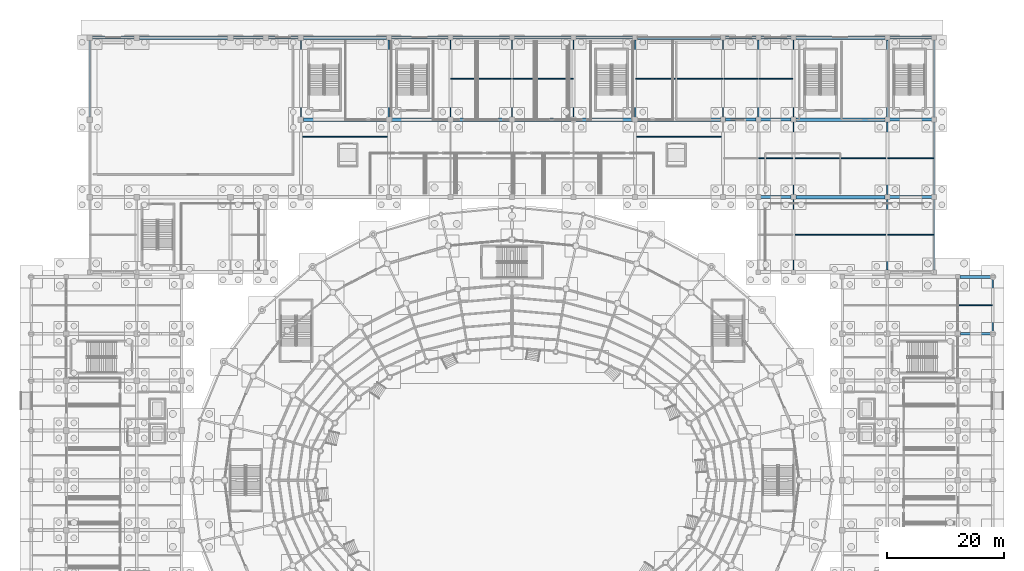
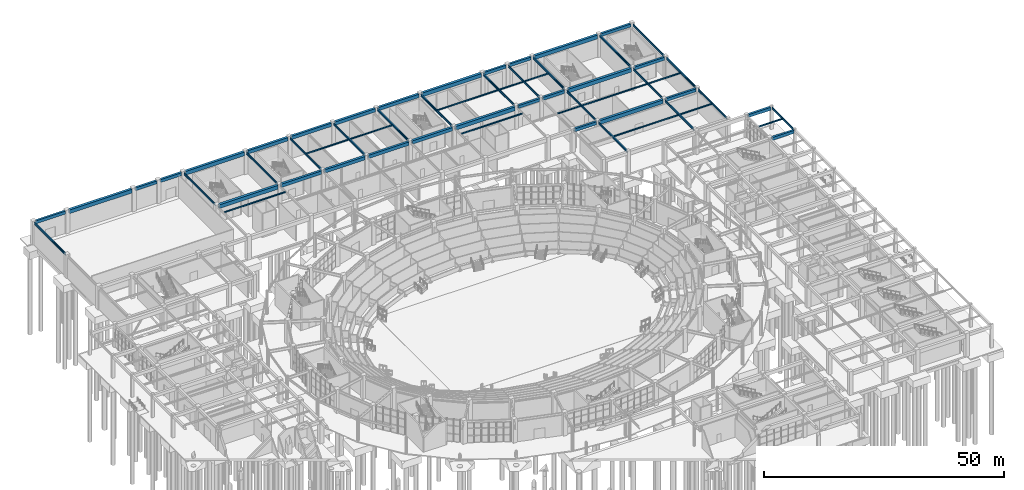
# One storey, part 62 of 121: 61 beams.
"""IFC4 building model written with IfcOpenShell, lengths in metres."""

from ifc_helpers import new_model, si_unit, direction, frame, origin, origin_2d, place, context, subcontext, project, spatial, rectangle, i_section, extrude, material, material_profile, profile_set, type_object, element, save


model = new_model("IFC4")

# Units and contexts
model_context = context("Model", 3, precision=1e-05, world=origin(), true_north=direction((0.0, 1.0)))
body_context = subcontext(model_context, "Body", "Model", "MODEL_VIEW")
ifc_project = project(units=[si_unit("LENGTHUNIT", "METRE"), si_unit("AREAUNIT", "SQUARE_METRE"), si_unit("VOLUMEUNIT", "CUBIC_METRE"), si_unit("PLANEANGLEUNIT", "RADIAN"), si_unit("MASSUNIT", "GRAM", prefix="KILO")], contexts=[model_context])

# Site, building, storey
site_placement = place(None, origin())
site = spatial("IfcSite", under=ifc_project, at=site_placement, CompositionType="ELEMENT")
building_placement = place(site_placement, origin())
building = spatial("IfcBuilding", under=site, at=building_placement, Name="Cuetzalor Civic Arena", CompositionType="ELEMENT")
storey_placement = place(building_placement, origin())
storey = spatial("IfcBuildingStorey", under=building, at=storey_placement, Name="L00", CompositionType="ELEMENT", Elevation=0.0)

# Beams
ifc_material_1 = material(Name="Concrete C40/50", Category="concrete")
ifc_material_profile_1 = material_profile(ifc_material_1, rectangle(XDim=0.5, YDim=0.75, at=origin_2d()), Name="RC 500x750")
ifc_profile_set_1 = profile_set([ifc_material_profile_1], Name="Concrete C40/50")
beam_type_1 = type_object("IfcBeamType", Name="ConcreteFrameBeam_500x750", PredefinedType="BEAM", material=ifc_profile_set_1)
beam_1_placement = place(storey_placement, frame((76.465087890625, 25.0, 5.324951171875), z_axis=(1.0, 0.0, 0.0), x_axis=(0.0, 1.0, 0.0)))
element("IfcBeam", 1, at=beam_1_placement, inside=storey, type_object=beam_type_1, Name="Frame Girder V4E-L00-X0167", PredefinedType="BEAM", context=body_context, shape_type="SweptSolid", body=[
    extrude(rectangle(XDim=0.5, YDim=0.75, at=origin_2d()), origin(), (0.0, 0.0, 1.0), 5.219970703125),
])
beam_2_placement = place(storey_placement, frame((76.364990234375, 34.699951171875, 5.324951171875), z_axis=(1.0, 0.0, 0.0), x_axis=(0.0, 1.0, 0.0)))
element("IfcBeam", 2, at=beam_2_placement, inside=storey, type_object=beam_type_1, Name="Frame Girder V4E-L00-X0170", PredefinedType="BEAM", context=body_context, shape_type="SweptSolid", body=[
    extrude(rectangle(XDim=0.5, YDim=0.75, at=origin_2d()), origin(), (0.0, 0.0, 1.0), 5.320068359375),
])
beam_3_placement = place(storey_placement, frame((42.4150390625, 48.300048828125, 5.324951171875), z_axis=(1.0, 0.0, 0.0), x_axis=(0.0, 1.0, 0.0)))
element("IfcBeam", 3, at=beam_3_placement, inside=storey, type_object=beam_type_1, Name="Frame Girder V5-L00-X0230", PredefinedType="BEAM", context=body_context, shape_type="SweptSolid", body=[
    extrude(rectangle(XDim=0.5, YDim=0.75, at=origin_2d()), origin(), (0.0, 0.0, 1.0), 5.169921875),
])
beam_4_placement = place(storey_placement, frame((64.4150390625, 48.300048828125, 5.324951171875), z_axis=(1.0, 0.0, 0.0), x_axis=(0.0, 1.0, 0.0)))
element("IfcBeam", 4, at=beam_4_placement, inside=storey, type_object=beam_type_1, Name="Frame Girder V5-L00-X0232", PredefinedType="BEAM", context=body_context, shape_type="SweptSolid", body=[
    extrude(rectangle(XDim=0.5, YDim=0.75, at=origin_2d()), origin(), (0.0, 0.0, 1.0), 7.169921875),
])
for number, where, z_axis, x_axis, name in (
    (5, (36.4150390625, 61.5, 5.324951171875), (1.0, 0.0, 0.0), (0.0, 1.0, 0.0), "Frame Girder V5-L00-X0239"),
    (6, (42.4150390625, 61.5, 5.324951171875), (1.0, 0.0, 0.0), (0.0, 1.0, 0.0), "Frame Girder V5-L00-X0240"),
):
    element("IfcBeam", number, at=place(storey_placement, frame(where, z_axis=z_axis, x_axis=x_axis)), inside=storey, type_object=beam_type_1, Name=name, PredefinedType="BEAM", context=body_context, shape_type="SweptSolid", body=[
        extrude(rectangle(XDim=0.5, YDim=0.75, at=origin_2d()), origin(), (0.0, 0.0, 1.0), 5.169921875),
    ])
beam_5_placement = place(storey_placement, frame((64.4150390625, 61.5, 5.324951171875), z_axis=(1.0, 0.0, 0.0), x_axis=(0.0, 1.0, 0.0)))
element("IfcBeam", 7, at=beam_5_placement, inside=storey, type_object=beam_type_1, Name="Frame Girder V5-L00-X0242", PredefinedType="BEAM", context=body_context, shape_type="SweptSolid", body=[
    extrude(rectangle(XDim=0.5, YDim=0.75, at=origin_2d()), origin(), (0.0, 0.0, 1.0), 7.169921875),
])
beam_6_placement = place(storey_placement, frame((-71.534912109375, 75.5, 5.324951171875), z_axis=(1.0, 0.0, 0.0), x_axis=(0.0, 1.0, 0.0)))
element("IfcBeam", 8, at=beam_6_placement, inside=storey, type_object=beam_type_1, Name="Frame Girder V5-L00-X0243", PredefinedType="BEAM", context=body_context, shape_type="SweptSolid", body=[
    extrude(rectangle(XDim=0.5, YDim=0.75, at=origin_2d()), origin(), (0.0, 0.0, 1.0), 7.06982421875),
])
for number, where, z_axis, x_axis, name in (
    (9, (-47.534912109375, 75.5, 5.324951171875), (1.0, 0.0, 0.0), (0.0, 1.0, 0.0), "Frame Girder V5-L00-X0245"),
    (10, (-41.534912109375, 75.5, 5.324951171875), (1.0, 0.0, 0.0), (0.0, 1.0, 0.0), "Frame Girder V5-L00-X0246"),
):
    element("IfcBeam", number, at=place(storey_placement, frame(where, z_axis=z_axis, x_axis=x_axis)), inside=storey, type_object=beam_type_1, Name=name, PredefinedType="BEAM", context=body_context, shape_type="SweptSolid", body=[
        extrude(rectangle(XDim=0.5, YDim=0.75, at=origin_2d()), origin(), (0.0, 0.0, 1.0), 5.06982421875),
    ])
for number, where, z_axis, x_axis, name in (
    (11, (36.4150390625, 75.5, 5.324951171875), (1.0, 0.0, 0.0), (0.0, 1.0, 0.0), "Frame Girder V5-L00-X0253"),
    (12, (42.4150390625, 75.5, 5.324951171875), (1.0, 0.0, 0.0), (0.0, 1.0, 0.0), "Frame Girder V5-L00-X0254"),
):
    element("IfcBeam", number, at=place(storey_placement, frame(where, z_axis=z_axis, x_axis=x_axis)), inside=storey, type_object=beam_type_1, Name=name, PredefinedType="BEAM", context=body_context, shape_type="SweptSolid", body=[
        extrude(rectangle(XDim=0.5, YDim=0.75, at=origin_2d()), origin(), (0.0, 0.0, 1.0), 5.169921875),
    ])
beam_7_placement = place(storey_placement, frame((64.4150390625, 75.5, 5.324951171875), z_axis=(1.0, 0.0, 0.0), x_axis=(0.0, 1.0, 0.0)))
element("IfcBeam", 13, at=beam_7_placement, inside=storey, type_object=beam_type_1, Name="Frame Girder V5-L00-X0256", PredefinedType="BEAM", context=body_context, shape_type="SweptSolid", body=[
    extrude(rectangle(XDim=0.5, YDim=0.75, at=origin_2d()), origin(), (0.0, 0.0, 1.0), 7.169921875),
])
ifc_material_2 = material(Name="Concrete C40/50", Category="concrete")
ifc_material_profile_2 = material_profile(ifc_material_2, rectangle(XDim=0.550048828125, YDim=0.85009765625, at=origin_2d()), Name="RC 550x850")
ifc_profile_set_2 = profile_set([ifc_material_profile_2], Name="Concrete C40/50")
beam_type_2 = type_object("IfcBeamType", Name="ConcreteFrameBeam_550x850", PredefinedType="BEAM", material=ifc_profile_set_2)
for number, where, z_axis, x_axis, name in (
    (14, (-20.5849609375, 61.5, 5.27490234375), (1.0, 0.0, 0.0), (0.0, 1.0, 0.0), "Frame Girder V5-L00-X0234"),
    (15, (-10.0849609375, 61.5, 5.27490234375), (1.0, 0.0, 0.0), (0.0, 1.0, 0.0), "Frame Girder V5-L00-X0235"),
    (16, (0.4150390625, 61.5, 5.27490234375), (1.0, 0.0, 0.0), (0.0, 1.0, 0.0), "Frame Girder V5-L00-X0236"),
    (17, (10.9150390625, 61.5, 5.27490234375), (1.0, 0.0, 0.0), (0.0, 1.0, 0.0), "Frame Girder V5-L00-X0237"),
    (18, (-20.5849609375, 75.5, 5.27490234375), (1.0, 0.0, 0.0), (0.0, 1.0, 0.0), "Frame Girder V5-L00-X0248"),
    (19, (-10.0849609375, 75.5, 5.27490234375), (1.0, 0.0, 0.0), (0.0, 1.0, 0.0), "Frame Girder V5-L00-X0249"),
    (20, (0.4150390625, 75.5, 5.27490234375), (1.0, 0.0, 0.0), (0.0, 1.0, 0.0), "Frame Girder V5-L00-X0250"),
    (21, (10.9150390625, 75.5, 5.27490234375), (1.0, 0.0, 0.0), (0.0, 1.0, 0.0), "Frame Girder V5-L00-X0251"),
):
    element("IfcBeam", number, at=place(storey_placement, frame(where, z_axis=z_axis, x_axis=x_axis)), inside=storey, type_object=beam_type_2, Name=name, PredefinedType="BEAM", context=body_context, shape_type="SweptSolid", body=[
        extrude(rectangle(XDim=0.550048828125, YDim=0.85009765625, at=origin_2d()), origin(), (0.0, 0.0, 1.0), 9.669921875),
    ])
ifc_material_3 = material(Name="Concrete C40/50", Category="concrete")
ifc_material_profile_3 = material_profile(ifc_material_3, rectangle(XDim=0.60009765625, YDim=0.949951171875, at=origin_2d()), Name="RC 600x950")
ifc_profile_set_3 = profile_set([ifc_material_profile_3], Name="Concrete C40/50")
beam_type_3 = type_object("IfcBeamType", Name="ConcreteFrameBeam_600x950", PredefinedType="BEAM", material=ifc_profile_set_3)
beam_8_placement = place(storey_placement, frame((48.4150390625, 48.300048828125, 5.22509765625), z_axis=(1.0, 0.0, 0.0), x_axis=(0.0, 1.0, 0.0)))
element("IfcBeam", 22, at=beam_8_placement, inside=storey, type_object=beam_type_3, Name="Frame Girder V5-L00-X0231", PredefinedType="BEAM", context=body_context, shape_type="SweptSolid", body=[
    extrude(rectangle(XDim=0.60009765625, YDim=0.949951171875, at=origin_2d()), origin(), (0.0, 0.0, 1.0), 15.169921875),
])
beam_9_placement = place(storey_placement, frame((-35.534912109375, 61.5, 5.22509765625), z_axis=(1.0, 0.0, 0.0), x_axis=(0.0, 1.0, 0.0)))
element("IfcBeam", 23, at=beam_9_placement, inside=storey, type_object=beam_type_3, Name="Frame Girder V5-L00-X0233", PredefinedType="BEAM", context=body_context, shape_type="SweptSolid", body=[
    extrude(rectangle(XDim=0.60009765625, YDim=0.949951171875, at=origin_2d()), origin(), (0.0, 0.0, 1.0), 14.119873046875),
])
beam_10_placement = place(storey_placement, frame((21.4150390625, 61.5, 5.22509765625), z_axis=(1.0, 0.0, 0.0), x_axis=(0.0, 1.0, 0.0)))
element("IfcBeam", 24, at=beam_10_placement, inside=storey, type_object=beam_type_3, Name="Frame Girder V5-L00-X0238", PredefinedType="BEAM", context=body_context, shape_type="SweptSolid", body=[
    extrude(rectangle(XDim=0.60009765625, YDim=0.949951171875, at=origin_2d()), origin(), (0.0, 0.0, 1.0), 14.169921875),
])
beam_11_placement = place(storey_placement, frame((48.4150390625, 61.5, 5.22509765625), z_axis=(1.0, 0.0, 0.0), x_axis=(0.0, 1.0, 0.0)))
element("IfcBeam", 25, at=beam_11_placement, inside=storey, type_object=beam_type_3, Name="Frame Girder V5-L00-X0241", PredefinedType="BEAM", context=body_context, shape_type="SweptSolid", body=[
    extrude(rectangle(XDim=0.60009765625, YDim=0.949951171875, at=origin_2d()), origin(), (0.0, 0.0, 1.0), 15.169921875),
])
beam_12_placement = place(storey_placement, frame((-63.534912109375, 75.5, 5.22509765625), z_axis=(1.0, 0.0, 0.0), x_axis=(0.0, 1.0, 0.0)))
element("IfcBeam", 26, at=beam_12_placement, inside=storey, type_object=beam_type_3, Name="Frame Girder V5-L00-X0244", PredefinedType="BEAM", context=body_context, shape_type="SweptSolid", body=[
    extrude(rectangle(XDim=0.60009765625, YDim=0.949951171875, at=origin_2d()), origin(), (0.0, 0.0, 1.0), 15.06982421875),
])
beam_13_placement = place(storey_placement, frame((-35.534912109375, 75.5, 5.22509765625), z_axis=(1.0, 0.0, 0.0), x_axis=(0.0, 1.0, 0.0)))
element("IfcBeam", 27, at=beam_13_placement, inside=storey, type_object=beam_type_3, Name="Frame Girder V5-L00-X0247", PredefinedType="BEAM", context=body_context, shape_type="SweptSolid", body=[
    extrude(rectangle(XDim=0.60009765625, YDim=0.949951171875, at=origin_2d()), origin(), (0.0, 0.0, 1.0), 14.119873046875),
])
beam_14_placement = place(storey_placement, frame((21.4150390625, 75.5, 5.22509765625), z_axis=(1.0, 0.0, 0.0), x_axis=(0.0, 1.0, 0.0)))
element("IfcBeam", 28, at=beam_14_placement, inside=storey, type_object=beam_type_3, Name="Frame Girder V5-L00-X0252", PredefinedType="BEAM", context=body_context, shape_type="SweptSolid", body=[
    extrude(rectangle(XDim=0.60009765625, YDim=0.949951171875, at=origin_2d()), origin(), (0.0, 0.0, 1.0), 14.169921875),
])
beam_15_placement = place(storey_placement, frame((48.4150390625, 75.5, 5.22509765625), z_axis=(1.0, 0.0, 0.0), x_axis=(0.0, 1.0, 0.0)))
element("IfcBeam", 29, at=beam_15_placement, inside=storey, type_object=beam_type_3, Name="Frame Girder V5-L00-X0255", PredefinedType="BEAM", context=body_context, shape_type="SweptSolid", body=[
    extrude(rectangle(XDim=0.60009765625, YDim=0.949951171875, at=origin_2d()), origin(), (0.0, 0.0, 1.0), 15.169921875),
])
ifc_material_4 = material(Name="Steel S355", Category="steel")
ifc_material_profile_4 = material_profile(ifc_material_4, i_section(OverallWidth=0.1708984375, OverallDepth=0.35498046875, WebThickness=0.007080078125, FlangeThickness=0.01171875, at=origin_2d()), Name="W360x51")
ifc_profile_set_4 = profile_set([ifc_material_profile_4], Name="Steel S355")
beam_type_4 = type_object("IfcBeamType", Name="SecondaryFloorJoist_W360", PredefinedType="JOIST", material=ifc_profile_set_4)
beam_16_placement = place(storey_placement, frame((76.096435546875, 29.85009765625, 5.5224609375), z_axis=(1.0, 0.0, 0.0), x_axis=(0.0, 1.0, 0.0)))
element("IfcBeam", 30, at=beam_16_placement, inside=storey, type_object=beam_type_4, Name="Secondary Floor Joist V4E-L00-0070", PredefinedType="JOIST", context=body_context, shape_type="SweptSolid", body=[
    extrude(i_section(OverallWidth=0.1708984375, OverallDepth=0.35498046875, WebThickness=0.007080078125, FlangeThickness=0.01171875, at=origin_2d()), origin(), (0.0, 0.0, 1.0), 5.80712890625),
])
beam_17_placement = place(storey_placement, frame((-35.903564453125, 58.595947265625, 5.5224609375), z_axis=(1.0, 0.0, 0.0), x_axis=(0.0, 1.0, 0.0)))
element("IfcBeam", 31, at=beam_17_placement, inside=storey, type_object=beam_type_4, Name="Secondary Floor Joist V5-L00-0073", PredefinedType="JOIST", context=body_context, shape_type="SweptSolid", body=[
    extrude(i_section(OverallWidth=0.1708984375, OverallDepth=0.35498046875, WebThickness=0.007080078125, FlangeThickness=0.01171875, at=origin_2d()), origin(), (0.0, 0.0, 1.0), 14.80712890625),
])
for number, where, z_axis, x_axis, name in (
    (32, (-10.403564453125, 68.5, 5.5224609375), (1.0, 0.0, 0.0), (0.0, 1.0, 0.0), "Secondary Floor Joist V5-L00-0076"),
    (33, (0.096435546875, 68.5, 5.5224609375), (1.0, 0.0, 0.0), (0.0, 1.0, 0.0), "Secondary Floor Joist V5-L00-0078"),
):
    element("IfcBeam", number, at=place(storey_placement, frame(where, z_axis=z_axis, x_axis=x_axis)), inside=storey, type_object=beam_type_4, Name=name, PredefinedType="JOIST", context=body_context, shape_type="SweptSolid", body=[
        extrude(i_section(OverallWidth=0.1708984375, OverallDepth=0.35498046875, WebThickness=0.007080078125, FlangeThickness=0.01171875, at=origin_2d()), origin(), (0.0, 0.0, 1.0), 10.30712890625),
    ])
for number, where, z_axis, x_axis, name in (
    (34, (21.096435546875, 58.595947265625, 5.5224609375), (1.0, 0.0, 0.0), (0.0, 1.0, 0.0), "Secondary Floor Joist V5-L00-0080"),
    (35, (21.096435546875, 68.5, 5.5224609375), (1.0, 0.0, 0.0), (0.0, 1.0, 0.0), "Secondary Floor Joist V5-L00-0081"),
):
    element("IfcBeam", number, at=place(storey_placement, frame(where, z_axis=z_axis, x_axis=x_axis)), inside=storey, type_object=beam_type_4, Name=name, PredefinedType="JOIST", context=body_context, shape_type="SweptSolid", body=[
        extrude(i_section(OverallWidth=0.1708984375, OverallDepth=0.35498046875, WebThickness=0.007080078125, FlangeThickness=0.01171875, at=origin_2d()), origin(), (0.0, 0.0, 1.0), 14.80712890625),
    ])
for number, where, z_axis, x_axis, name in (
    (36, (36.096435546875, 68.5, 5.5224609375), (1.0, 0.0, 0.0), (0.0, 1.0, 0.0), "Secondary Floor Joist V5-L00-0083"),
    (37, (42.096435546875, 54.89990234375, 5.5224609375), (1.0, 0.0, 0.0), (0.0, 1.0, 0.0), "Secondary Floor Joist V5-L00-0085"),
    (38, (42.096435546875, 68.5, 5.5224609375), (1.0, 0.0, 0.0), (0.0, 1.0, 0.0), "Secondary Floor Joist V5-L00-0086"),
):
    element("IfcBeam", number, at=place(storey_placement, frame(where, z_axis=z_axis, x_axis=x_axis)), inside=storey, type_object=beam_type_4, Name=name, PredefinedType="JOIST", context=body_context, shape_type="SweptSolid", body=[
        extrude(i_section(OverallWidth=0.1708984375, OverallDepth=0.35498046875, WebThickness=0.007080078125, FlangeThickness=0.01171875, at=origin_2d()), origin(), (0.0, 0.0, 1.0), 5.80712890625),
    ])
for number, where, z_axis, x_axis, name in (
    (39, (48.096435546875, 41.89990234375, 5.5224609375), (1.0, 0.0, 0.0), (0.0, 1.0, 0.0), "Secondary Floor Joist V5-L00-0087"),
    (40, (48.096435546875, 54.89990234375, 5.5224609375), (1.0, 0.0, 0.0), (0.0, 1.0, 0.0), "Secondary Floor Joist V5-L00-0088"),
):
    element("IfcBeam", number, at=place(storey_placement, frame(where, z_axis=z_axis, x_axis=x_axis)), inside=storey, type_object=beam_type_4, Name=name, PredefinedType="JOIST", context=body_context, shape_type="SweptSolid", body=[
        extrude(i_section(OverallWidth=0.1708984375, OverallDepth=0.35498046875, WebThickness=0.007080078125, FlangeThickness=0.01171875, at=origin_2d()), origin(), (0.0, 0.0, 1.0), 15.80712890625),
    ])
for number, where, z_axis, x_axis, name in (
    (41, (64.096435546875, 41.89990234375, 5.5224609375), (1.0, 0.0, 0.0), (0.0, 1.0, 0.0), "Secondary Floor Joist V5-L00-0089"),
    (42, (64.096435546875, 54.89990234375, 5.5224609375), (1.0, 0.0, 0.0), (0.0, 1.0, 0.0), "Secondary Floor Joist V5-L00-0090"),
):
    element("IfcBeam", number, at=place(storey_placement, frame(where, z_axis=z_axis, x_axis=x_axis)), inside=storey, type_object=beam_type_4, Name=name, PredefinedType="JOIST", context=body_context, shape_type="SweptSolid", body=[
        extrude(i_section(OverallWidth=0.1708984375, OverallDepth=0.35498046875, WebThickness=0.007080078125, FlangeThickness=0.01171875, at=origin_2d()), origin(), (0.0, 0.0, 1.0), 7.80712890625),
    ])
ifc_material_5 = material(Name="Steel S355", Category="steel")
ifc_material_profile_5 = material_profile(ifc_material_5, i_section(OverallWidth=0.208984375, OverallDepth=0.532958984375, WebThickness=0.01025390625, FlangeThickness=0.015625, at=origin_2d()), Name="W530x92")
ifc_profile_set_5 = profile_set([ifc_material_profile_5], Name="Steel S355")
beam_type_5 = type_object("IfcBeamType", Name="SteelCollarGirder_W530", PredefinedType="BEAM", material=ifc_profile_set_5)
beam_18_placement = place(storey_placement, frame((82.0, 25.215087890625, 5.43359375), z_axis=(0.0, 1.0, 0.0), x_axis=(-1.0, 0.0, 0.0)))
element("IfcBeam", 43, at=beam_18_placement, inside=storey, type_object=beam_type_5, Name="Frame Girder V4E-L00-Y0212", PredefinedType="BEAM", context=body_context, shape_type="SweptSolid", body=[
    extrude(i_section(OverallWidth=0.208984375, OverallDepth=0.532958984375, WebThickness=0.01025390625, FlangeThickness=0.015625, at=origin_2d()), origin(), (0.0, 0.0, 1.0), 9.27001953125),
])
for number, where, z_axis, x_axis, name in (
    (44, (-72.0, 61.965087890625, 5.43359375), (0.0, 1.0, 0.0), (-1.0, 0.0, 0.0), "Frame Girder V5-L00-Y0259"),
    (45, (-36.0, 61.965087890625, 5.43359375), (0.0, 1.0, 0.0), (-1.0, 0.0, 0.0), "Frame Girder V5-L00-Y0264"),
):
    element("IfcBeam", number, at=place(storey_placement, frame(where, z_axis=z_axis, x_axis=x_axis)), inside=storey, type_object=beam_type_5, Name=name, PredefinedType="BEAM", context=body_context, shape_type="SweptSolid", body=[
        extrude(i_section(OverallWidth=0.208984375, OverallDepth=0.532958984375, WebThickness=0.01025390625, FlangeThickness=0.015625, at=origin_2d()), origin(), (0.0, 0.0, 1.0), 13.06982421875),
    ])
for number, where, z_axis, x_axis, name in (
    (46, (-21.0, 61.9150390625, 5.43359375), (0.0, 1.0, 0.0), (-1.0, 0.0, 0.0), "Frame Girder V5-L00-Y0266"),
    (47, (-10.5, 61.9150390625, 5.43359375), (0.0, 1.0, 0.0), (-1.0, 0.0, 0.0), "Frame Girder V5-L00-Y0268"),
    (48, (0.0, 61.9150390625, 5.43359375), (0.0, 1.0, 0.0), (-1.0, 0.0, 0.0), "Frame Girder V5-L00-Y0270"),
    (49, (10.5, 61.9150390625, 5.43359375), (0.0, 1.0, 0.0), (-1.0, 0.0, 0.0), "Frame Girder V5-L00-Y0272"),
    (50, (21.0, 61.9150390625, 5.43359375), (0.0, 1.0, 0.0), (-1.0, 0.0, 0.0), "Frame Girder V5-L00-Y0274"),
    (51, (36.0, 61.9150390625, 5.43359375), (0.0, 1.0, 0.0), (-1.0, 0.0, 0.0), "Frame Girder V5-L00-Y0276"),
    (52, (42.0, 61.9150390625, 5.43359375), (0.0, 1.0, 0.0), (-1.0, 0.0, 0.0), "Frame Girder V5-L00-Y0279"),
):
    element("IfcBeam", number, at=place(storey_placement, frame(where, z_axis=z_axis, x_axis=x_axis)), inside=storey, type_object=beam_type_5, Name=name, PredefinedType="BEAM", context=body_context, shape_type="SweptSolid", body=[
        extrude(i_section(OverallWidth=0.208984375, OverallDepth=0.532958984375, WebThickness=0.01025390625, FlangeThickness=0.015625, at=origin_2d()), origin(), (0.0, 0.0, 1.0), 13.169921875),
    ])
beam_19_placement = place(storey_placement, frame((48.0, 35.864990234375, 5.43359375), z_axis=(0.0, 1.0, 0.0), x_axis=(-1.0, 0.0, 0.0)))
element("IfcBeam", 53, at=beam_19_placement, inside=storey, type_object=beam_type_5, Name="Frame Girder V5-L00-Y0280", PredefinedType="BEAM", context=body_context, shape_type="SweptSolid", body=[
    extrude(i_section(OverallWidth=0.208984375, OverallDepth=0.532958984375, WebThickness=0.01025390625, FlangeThickness=0.015625, at=origin_2d()), origin(), (0.0, 0.0, 1.0), 12.02001953125),
])
beam_20_placement = place(storey_placement, frame((48.0, 48.715087890625, 5.43359375), z_axis=(0.0, 1.0, 0.0), x_axis=(-1.0, 0.0, 0.0)))
element("IfcBeam", 54, at=beam_20_placement, inside=storey, type_object=beam_type_5, Name="Frame Girder V5-L00-Y0281", PredefinedType="BEAM", context=body_context, shape_type="SweptSolid", body=[
    extrude(i_section(OverallWidth=0.208984375, OverallDepth=0.532958984375, WebThickness=0.01025390625, FlangeThickness=0.015625, at=origin_2d()), origin(), (0.0, 0.0, 1.0), 12.369873046875),
])
beam_21_placement = place(storey_placement, frame((48.0, 61.9150390625, 5.43359375), z_axis=(0.0, 1.0, 0.0), x_axis=(-1.0, 0.0, 0.0)))
element("IfcBeam", 55, at=beam_21_placement, inside=storey, type_object=beam_type_5, Name="Frame Girder V5-L00-Y0282", PredefinedType="BEAM", context=body_context, shape_type="SweptSolid", body=[
    extrude(i_section(OverallWidth=0.208984375, OverallDepth=0.532958984375, WebThickness=0.01025390625, FlangeThickness=0.015625, at=origin_2d()), origin(), (0.0, 0.0, 1.0), 13.169921875),
])
beam_22_placement = place(storey_placement, frame((64.0, 35.864990234375, 5.43359375), z_axis=(0.0, 1.0, 0.0), x_axis=(-1.0, 0.0, 0.0)))
element("IfcBeam", 56, at=beam_22_placement, inside=storey, type_object=beam_type_5, Name="Frame Girder V5-L00-Y0283", PredefinedType="BEAM", context=body_context, shape_type="SweptSolid", body=[
    extrude(i_section(OverallWidth=0.208984375, OverallDepth=0.532958984375, WebThickness=0.01025390625, FlangeThickness=0.015625, at=origin_2d()), origin(), (0.0, 0.0, 1.0), 12.02001953125),
])
beam_23_placement = place(storey_placement, frame((64.0, 48.715087890625, 5.43359375), z_axis=(0.0, 1.0, 0.0), x_axis=(-1.0, 0.0, 0.0)))
element("IfcBeam", 57, at=beam_23_placement, inside=storey, type_object=beam_type_5, Name="Frame Girder V5-L00-Y0284", PredefinedType="BEAM", context=body_context, shape_type="SweptSolid", body=[
    extrude(i_section(OverallWidth=0.208984375, OverallDepth=0.532958984375, WebThickness=0.01025390625, FlangeThickness=0.015625, at=origin_2d()), origin(), (0.0, 0.0, 1.0), 12.369873046875),
])
beam_24_placement = place(storey_placement, frame((64.0, 61.9150390625, 5.43359375), z_axis=(0.0, 1.0, 0.0), x_axis=(-1.0, 0.0, 0.0)))
element("IfcBeam", 58, at=beam_24_placement, inside=storey, type_object=beam_type_5, Name="Frame Girder V5-L00-Y0285", PredefinedType="BEAM", context=body_context, shape_type="SweptSolid", body=[
    extrude(i_section(OverallWidth=0.208984375, OverallDepth=0.532958984375, WebThickness=0.01025390625, FlangeThickness=0.015625, at=origin_2d()), origin(), (0.0, 0.0, 1.0), 13.169921875),
])
beam_25_placement = place(storey_placement, frame((72.0, 35.864990234375, 5.43359375), z_axis=(0.0, 1.0, 0.0), x_axis=(-1.0, 0.0, 0.0)))
element("IfcBeam", 59, at=beam_25_placement, inside=storey, type_object=beam_type_5, Name="Frame Girder V5-L00-Y0286", PredefinedType="BEAM", context=body_context, shape_type="SweptSolid", body=[
    extrude(i_section(OverallWidth=0.208984375, OverallDepth=0.532958984375, WebThickness=0.01025390625, FlangeThickness=0.015625, at=origin_2d()), origin(), (0.0, 0.0, 1.0), 12.02001953125),
])
beam_26_placement = place(storey_placement, frame((72.0, 48.715087890625, 5.43359375), z_axis=(0.0, 1.0, 0.0), x_axis=(-1.0, 0.0, 0.0)))
element("IfcBeam", 60, at=beam_26_placement, inside=storey, type_object=beam_type_5, Name="Frame Girder V5-L00-Y0287", PredefinedType="BEAM", context=body_context, shape_type="SweptSolid", body=[
    extrude(i_section(OverallWidth=0.208984375, OverallDepth=0.532958984375, WebThickness=0.01025390625, FlangeThickness=0.015625, at=origin_2d()), origin(), (0.0, 0.0, 1.0), 12.369873046875),
])
beam_27_placement = place(storey_placement, frame((72.0, 61.9150390625, 5.43359375), z_axis=(0.0, 1.0, 0.0), x_axis=(-1.0, 0.0, 0.0)))
element("IfcBeam", 61, at=beam_27_placement, inside=storey, type_object=beam_type_5, Name="Frame Girder V5-L00-Y0288", PredefinedType="BEAM", context=body_context, shape_type="SweptSolid", body=[
    extrude(i_section(OverallWidth=0.208984375, OverallDepth=0.532958984375, WebThickness=0.01025390625, FlangeThickness=0.015625, at=origin_2d()), origin(), (0.0, 0.0, 1.0), 13.169921875),
])

save(model, "model.ifc")
